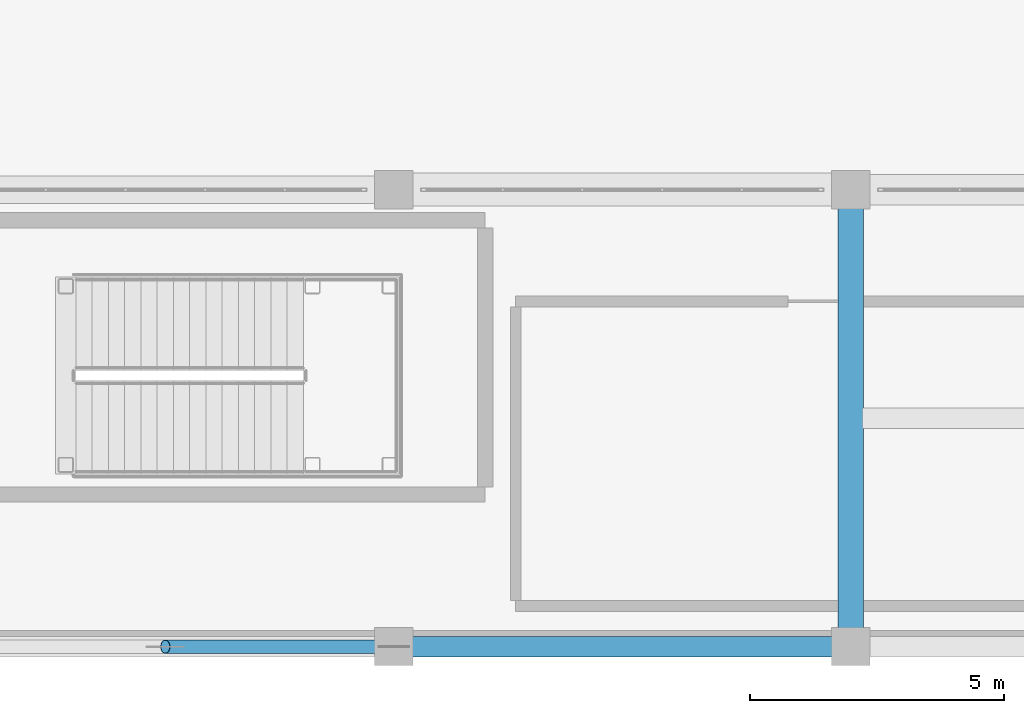
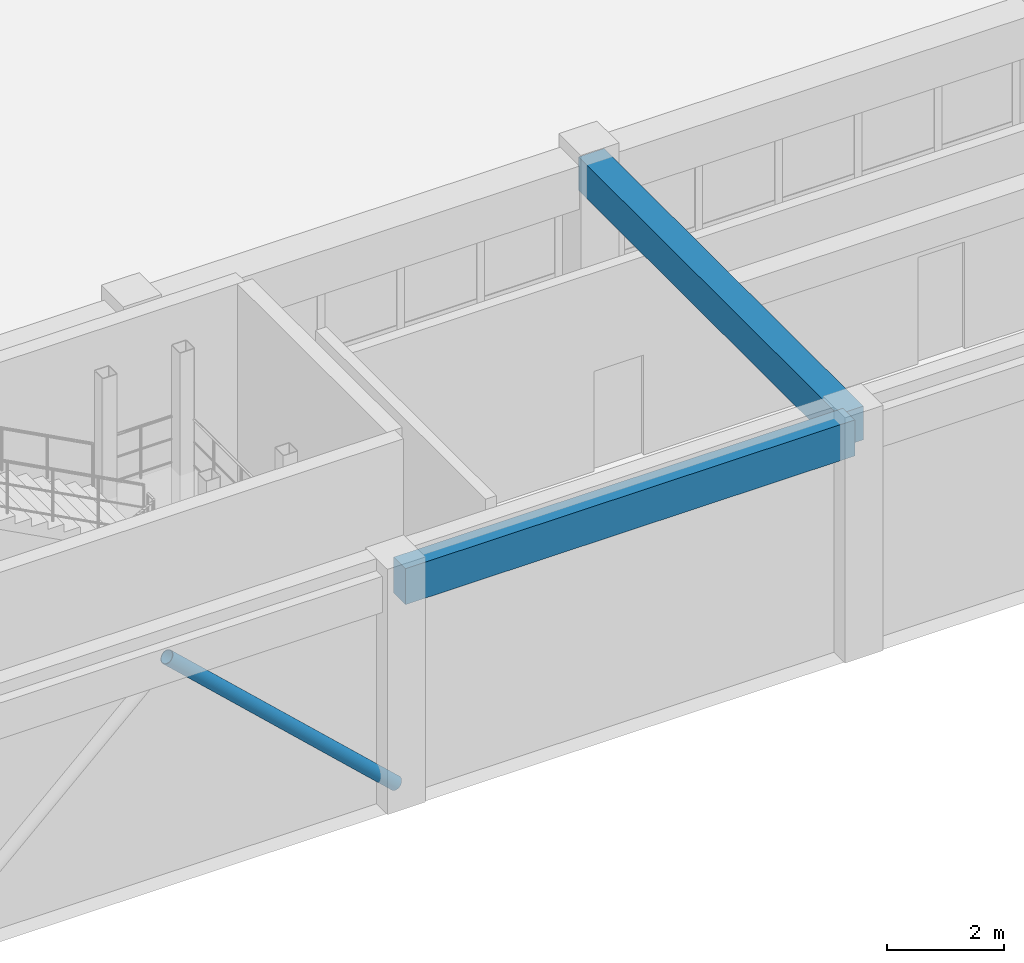
# One storey, part 27 of 128: 2 beams, 1 member.
"""IFC4 building model written with IfcOpenShell, lengths in metres."""

from ifc_helpers import new_model, si_unit, direction, frame, origin, origin_2d, place, context, subcontext, project, spatial, rectangle, hollow_circle, extrude, material, material_profile, profile_set, type_object, element, save


model = new_model("IFC4")

# Units and contexts
model_context = context("Model", 3, precision=1e-05, world=origin(), true_north=direction((0.0, 1.0)))
body_context = subcontext(model_context, "Body", "Model", "MODEL_VIEW")
ifc_project = project(units=[si_unit("LENGTHUNIT", "METRE"), si_unit("AREAUNIT", "SQUARE_METRE"), si_unit("VOLUMEUNIT", "CUBIC_METRE"), si_unit("PLANEANGLEUNIT", "RADIAN"), si_unit("MASSUNIT", "GRAM", prefix="KILO")], contexts=[model_context])

# Site, building, storey
site_placement = place(None, origin())
site = spatial("IfcSite", under=ifc_project, at=site_placement, CompositionType="ELEMENT")
building_placement = place(site_placement, origin())
building = spatial("IfcBuilding", under=site, at=building_placement, Name="Miravela Opera House", CompositionType="ELEMENT")
storey_placement = place(building_placement, origin())
storey = spatial("IfcBuildingStorey", under=building, at=storey_placement, Name="L00", CompositionType="ELEMENT", Elevation=0.0)

# Beam
ifc_material_1 = material(Name="Concrete C35/45", Category="concrete")
ifc_material_profile_1 = material_profile(ifc_material_1, rectangle(XDim=0.5, YDim=0.699951171875, at=origin_2d()), Name="RC-BM-500X700")
ifc_profile_set_1 = profile_set([ifc_material_profile_1])
beam_type_1 = type_object("IfcBeamType", Name="STR-BM-RC500X700", PredefinedType="BEAM", material=ifc_profile_set_1)
beam_1_placement = place(storey_placement, frame((45.0, 0.080078125, 4.5), z_axis=(0.0, 1.0, 0.0), x_axis=(-1.0, 0.0, 0.0)))
element("IfcBeam", 1, at=beam_1_placement, inside=storey, type_object=beam_type_1, Name="Floor Girder L00 6/A-B", PredefinedType="BEAM", context=body_context, shape_type="SweptSolid", body=[
    extrude(rectangle(XDim=0.5, YDim=0.699951171875, at=origin_2d()), origin(), (0.0, 0.0, 1.0), 8.83984375),
])

# Member
ifc_material_2 = material(Name="Hollow structural steel ASTM A500 Gr. C", Category="steel")
ifc_material_profile_2 = material_profile(ifc_material_2, hollow_circle(Radius=0.136474609375, WallThickness=0.010009765625, at=origin_2d()), Name="CHS273X10")
ifc_profile_set_2 = profile_set([ifc_material_profile_2])
member_type = type_object("IfcMemberType", Name="STR-MEM-FRAME-BR2", PredefinedType="BRACE", material=ifc_profile_set_2)
member_placement = place(storey_placement, frame((36.0, 0.0, 0.300048828125), z_axis=(-0.73105922506, 0.0, 0.682314010889), x_axis=(0.0, -1.0, 0.0)))
element("IfcMember", 2, at=member_placement, inside=storey, type_object=member_type, Name="Concentric Braced Frame BF-S1 L00 Right Brace", PredefinedType="BRACE", context=body_context, shape_type="SweptSolid", body=[
    extrude(hollow_circle(Radius=0.136474609375, WallThickness=0.010009765625, at=origin_2d()), origin(), (0.0, 0.0, 1.0), 6.155517578125),
])

# Beam
ifc_material_profile_3 = material_profile(ifc_material_1, rectangle(XDim=0.39990234375, YDim=0.75, at=origin_2d()), Name="RC-SPN-400X750")
ifc_profile_set_3 = profile_set([ifc_material_profile_3])
beam_type_2 = type_object("IfcBeamType", Name="STR-SPN-RC400X750", PredefinedType="SPANDREL", material=ifc_profile_set_3)
beam_2_placement = place(storey_placement, frame((36.080078125, 0.0, 4.47509765625), z_axis=(1.0, 0.0, 0.0), x_axis=(0.0, 1.0, 0.0)))
element("IfcBeam", 3, at=beam_2_placement, inside=storey, type_object=beam_type_2, Name="Floor Girder L00 5-6/A", PredefinedType="SPANDREL", context=body_context, shape_type="SweptSolid", body=[
    extrude(rectangle(XDim=0.39990234375, YDim=0.75, at=origin_2d()), origin(), (0.0, 0.0, 1.0), 8.83984375),
])

save(model, "model.ifc")
